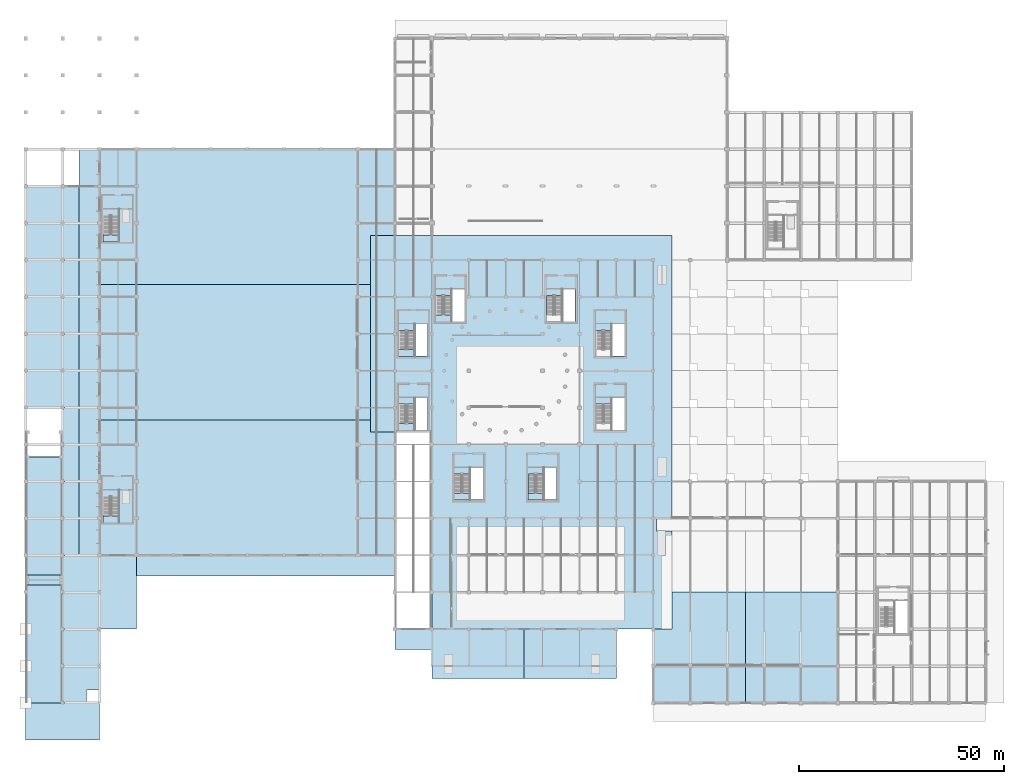
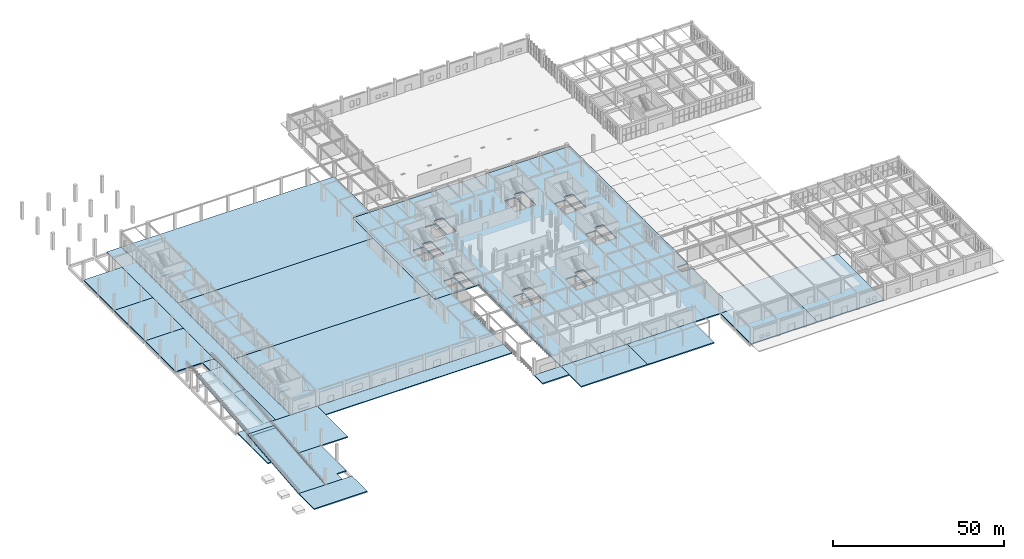
# One storey, part 53 of 91: 29 slabs, 7 elements without a shape of their own.
"""IFC4 building model written with IfcOpenShell, lengths in metres."""

import ifcopenshell
import ifcopenshell.guid

model = None  # the IFC model being written
_history = None  # IfcOwnerHistory: only IFC2X3 demands one
_inside = {}  # id of a spatial element -> (the spatial element, [elements in it])
_under = {}  # id of a project, library or spatial element -> (it, [spatial elements below it])
_declared = {}  # id of a project -> (the project, [libraries it declares])
_typed = {}  # id of a type object -> (the type object, [elements of that type])
_made_of = {}  # id of a material, layer set ... -> (it, [elements and type objects made of it])


def new_model(schema):
    """Start an empty IFC model of exactly this schema.

    Asked for "IFC4X3", IfcOpenShell would pick the latest addendum, in which some entities
    have other attributes; the version numbers below select the first issue.
    IFC2X3 requires an IfcOwnerHistory on every rooted entity: one is made here for all.
    """
    global model, _history
    if schema == "IFC4X3":
        model = ifcopenshell.file(schema_version=(4, 3, 0, 0))
    else:
        model = ifcopenshell.file(schema=schema)
    _inside.clear()
    _under.clear()
    _declared.clear()
    _typed.clear()
    _made_of.clear()
    _history = None
    if model.schema == "IFC2X3":
        org = make("IfcOrganization", Name="unknown")
        user = make(
            "IfcPersonAndOrganization",
            ThePerson=make("IfcPerson", FamilyName="unknown"),
            TheOrganization=org,
        )
        app = make(
            "IfcApplication",
            ApplicationDeveloper=org,
            Version="unknown",
            ApplicationFullName="unknown",
            ApplicationIdentifier="unknown",
        )
        _history = make(
            "IfcOwnerHistory",
            OwningUser=user,
            OwningApplication=app,
            ChangeAction="ADDED",
            CreationDate=0,
        )
    return model


def make(cls, **values):
    """One entity of the class cls with the attributes given. An attribute that is None is left unset."""
    return model.create_entity(
        cls, **{name: value for name, value in values.items() if value is not None}
    )


def rooted(cls, **values):
    """An entity with a GlobalId (a new one), such as an element, a storey or a relation."""
    return make(cls, GlobalId=ifcopenshell.guid.new(), OwnerHistory=_history, **values)


def si_unit(unit_type, name, prefix=None):
    """IfcSIUnit, for example si_unit("LENGTHUNIT", "METRE", prefix="MILLI")."""
    return make("IfcSIUnit", UnitType=unit_type, Prefix=prefix, Name=name)


def assignment(units):
    """IfcUnitAssignment: the units of a project."""
    return None if units is None else make("IfcUnitAssignment", Units=units)


def point(xyz):
    """IfcCartesianPoint."""
    return None if xyz is None else make("IfcCartesianPoint", Coordinates=xyz)


def direction(xyz):
    """IfcDirection."""
    return None if xyz is None else make("IfcDirection", DirectionRatios=xyz)


def frame(location, z_axis=None, x_axis=None):
    """IfcAxis2Placement3D, a coordinate frame: its origin and axes. An axis left out is left unset."""
    return make(
        "IfcAxis2Placement3D",
        Location=point(location),
        Axis=direction(z_axis),
        RefDirection=direction(x_axis),
    )


def origin():
    """The frame at (0, 0, 0) with its axes left unset."""
    return frame((0.0, 0.0, 0.0))


def place(relative_to, where):
    """IfcLocalPlacement: puts the frame where relative to a parent placement (None: the world)."""
    return make(
        "IfcLocalPlacement", PlacementRelTo=relative_to, RelativePlacement=where
    )


def context(
    kind, dimensions, precision=None, world=None, true_north=None, identifier=None
):
    """IfcGeometricRepresentationContext, for example the 3D "Model" context."""
    return make(
        "IfcGeometricRepresentationContext",
        ContextIdentifier=identifier,
        ContextType=kind,
        CoordinateSpaceDimension=dimensions,
        Precision=precision,
        WorldCoordinateSystem=world,
        TrueNorth=true_north,
    )


def subcontext(parent, identifier, kind, view, scale=None):
    """IfcGeometricRepresentationSubContext, for example "Body" below "Model"."""
    return make(
        "IfcGeometricRepresentationSubContext",
        ContextIdentifier=identifier,
        ContextType=kind,
        ParentContext=parent,
        TargetScale=scale,
        TargetView=view,
    )


def project(units=None, contexts=None):
    """IfcProject with its units and contexts."""
    return rooted(
        "IfcProject",
        Name="project",
        RepresentationContexts=contexts,
        UnitsInContext=assignment(units),
    )


def spatial(cls, under=None, at=None, **own):
    """A site, building, storey or space (cls), placed at a placement, below another one or the project."""
    s = rooted(cls, ObjectPlacement=at, **own)
    if under is not None:
        _under.setdefault(under.id(), (under, []))[1].append(s)
    return s


def polyline(points):
    """IfcPolyline through the points."""
    return make("IfcPolyline", Points=[point(p) for p in points])


def outline(outer, holes=None, kind="AREA"):
    """IfcArbitraryClosedProfileDef: a profile drawn as a closed curve; with holes, ...WithVoids."""
    if holes is None:
        return make("IfcArbitraryClosedProfileDef", ProfileType=kind, OuterCurve=outer)
    return make(
        "IfcArbitraryProfileDefWithVoids",
        ProfileType=kind,
        OuterCurve=outer,
        InnerCurves=holes,
    )


def extrude(swept, where, along, depth):
    """IfcExtrudedAreaSolid: the profile swept, set in the frame where, extruded along a direction by depth."""
    return make(
        "IfcExtrudedAreaSolid",
        SweptArea=swept,
        Position=where,
        ExtrudedDirection=direction(along),
        Depth=depth,
    )


def shape(context_of_items, identifier, shape_type, items):
    """IfcShapeRepresentation: the items that make up one representation, for example the "Body"."""
    return make(
        "IfcShapeRepresentation",
        ContextOfItems=context_of_items,
        RepresentationIdentifier=identifier,
        RepresentationType=shape_type,
        Items=items,
    )


def material(Name=None, Category=None):
    """IfcMaterial."""
    return make("IfcMaterial", Name=Name, Category=Category)


def layer(
    of_material, thickness, ventilated=None, Name=None, Category=None, Priority=None
):
    """IfcMaterialLayer: one layer of a wall or slab, of a material (None: an air gap)."""
    return make(
        "IfcMaterialLayer",
        Material=of_material,
        LayerThickness=thickness,
        IsVentilated=ventilated,
        Name=Name,
        Category=Category,
        Priority=Priority,
    )


def layer_set(layers, Name=None):
    """IfcMaterialLayerSet."""
    return make("IfcMaterialLayerSet", MaterialLayers=layers, LayerSetName=Name)


def made_of(thing, what):
    """Note that an element or type object is made of a material, layer set ...; save() writes the relation."""
    if what is not None:
        _made_of.setdefault(what.id(), (what, []))[1].append(thing)
    return thing


def type_object(cls, material=None, **own):
    """A type object (cls), such as IfcWallType, which elements share."""
    return made_of(rooted(cls, **own), material)


def element(
    cls,
    number,
    at=None,
    inside=None,
    cuts=None,
    type_object=None,
    material=None,
    context=None,
    identifier="Body",
    shape_type=None,
    held_by="IfcProductDefinitionShape",
    body=None,
    shapes=None,
    **own,
):
    """One element of the class cls, such as IfcWall. Its Tag is "e" and its number.

    at: its placement. inside: the storey or other place that contains it. cuts: it is an
    opening in that element (IfcRelVoidsElement). A single representation is given by context,
    identifier, shape_type and body (its items); several are given by shapes. held_by: the class
    of the entity that holds the representations. save() writes the other relations.
    """
    e = rooted(cls, Tag="e%d" % number, ObjectPlacement=at, **own)
    if body is not None:
        shapes = [shape(context, identifier, shape_type, body)]
    if shapes is not None:
        e.Representation = make(held_by, Representations=shapes)
    if inside is not None:
        _inside.setdefault(inside.id(), (inside, []))[1].append(e)
    if cuts is not None:
        rooted(
            "IfcRelVoidsElement", RelatingBuildingElement=cuts, RelatedOpeningElement=e
        )
    if type_object is not None:
        _typed.setdefault(type_object.id(), (type_object, []))[1].append(e)
    return made_of(e, material)


def aggregate(whole, parts):
    """IfcRelAggregates: a whole, such as a stair, and the parts it consists of."""
    return rooted("IfcRelAggregates", RelatingObject=whole, RelatedObjects=parts)


def save(model, path):
    """Write the relations noted so far, then the file.

    IfcRelAggregates (storeys below a building ...), IfcRelContainedInSpatialStructure (elements
    in a storey), IfcRelDefinesByType, IfcRelAssociatesMaterial and IfcRelDeclares: one each for
    every whole, place, type object, material and project.
    """
    for whole, parts in _under.values():
        aggregate(whole, parts)
    for where, things in _inside.values():
        rooted(
            "IfcRelContainedInSpatialStructure",
            RelatedElements=things,
            RelatingStructure=where,
        )
    for kind, things in _typed.values():
        rooted("IfcRelDefinesByType", RelatedObjects=things, RelatingType=kind)
    for what, things in _made_of.values():
        rooted("IfcRelAssociatesMaterial", RelatedObjects=things, RelatingMaterial=what)
    for by, libraries in _declared.values():
        rooted("IfcRelDeclares", RelatingContext=by, RelatedDefinitions=libraries)
    model.write(path)


model = new_model("IFC4")

# Units and contexts
model_context = context("Model", 3, precision=1e-05, world=origin(), true_north=direction((0.0, 1.0)))
body_context = subcontext(model_context, "Body", "Model", "MODEL_VIEW")
ifc_project = project(units=[si_unit("LENGTHUNIT", "METRE"), si_unit("AREAUNIT", "SQUARE_METRE"), si_unit("VOLUMEUNIT", "CUBIC_METRE"), si_unit("PLANEANGLEUNIT", "RADIAN"), si_unit("MASSUNIT", "GRAM", prefix="KILO")], contexts=[model_context])

# Site, building, storey
site_placement = place(None, origin())
site = spatial("IfcSite", under=ifc_project, at=site_placement, CompositionType="ELEMENT")
building_placement = place(site_placement, origin())
building = spatial("IfcBuilding", under=site, at=building_placement, Name="Dornveld Trade and Exhibition Forum", CompositionType="ELEMENT")
storey_placement = place(building_placement, origin())
storey = spatial("IfcBuildingStorey", under=building, at=storey_placement, Name="L00", CompositionType="ELEMENT", Elevation=0.0)

# Slabs
ifc_material_1 = material(Name="Concrete C40/50", Category="concrete")
ifc_layer_1 = layer(ifc_material_1, 0.39990234375)
ifc_layer_set_1 = layer_set([ifc_layer_1], Name="Concrete C40/50")
slab_type_1 = type_object("IfcSlabType", Name="SL-BASE-400", PredefinedType="BASESLAB", material=ifc_layer_set_1)
slab_1_placement = place(storey_placement, frame((0.0, 0.0, -0.39990234375)))
element("IfcSlab", 1, at=slab_1_placement, inside=storey, type_object=slab_type_1, Name="L00 structural slab panel 30", PredefinedType="BASESLAB", context=body_context, shape_type="SweptSolid", body=[
    extrude(outline(polyline([(99.0, 6.0), (121.5, 6.0), (121.5, 18.0), (99.0, 18.0), (99.0, 6.0)])), origin(), (0.0, 0.0, 1.0), 0.39990234375),
])
slab_2_placement = place(storey_placement, frame((0.0, 0.0, -0.39990234375)))
element("IfcSlab", 2, at=slab_2_placement, inside=storey, type_object=slab_type_1, Name="L00 structural slab panel 31", PredefinedType="BASESLAB", context=body_context, shape_type="SweptSolid", body=[
    extrude(outline(polyline([(121.5, 6.0), (144.0, 6.0), (144.0, 18.0), (121.5, 18.0), (121.5, 6.0)])), origin(), (0.0, 0.0, 1.0), 0.39990234375),
])
slab_3_placement = place(storey_placement, frame((0.0, 0.0, -0.39990234375)))
element("IfcSlab", 3, at=slab_3_placement, inside=storey, type_object=slab_type_1, Name="L00 structural slab panel 32", PredefinedType="BASESLAB", context=body_context, shape_type="SweptSolid", body=[
    extrude(outline(polyline([(0.0, 18.0), (27.0, 18.0), (27.0, 36.0), (0.0, 36.0), (0.0, 18.0)])), origin(), (0.0, 0.0, 1.0), 0.39990234375),
])
slab_4_placement = place(storey_placement, frame((0.0, 0.0, -0.3798828125)))
element("IfcSlab", 4, at=slab_4_placement, inside=storey, type_object=slab_type_1, Name="West HGV service road slab 1", PredefinedType="BASESLAB", context=body_context, shape_type="SweptSolid", body=[
    extrude(outline(polyline([(9.050048828125, 0.0), (14.800048828125, 0.0), (14.800048828125, 3.199951171875), (18.0, 3.199951171875), (18.0, 18.0), (9.050048828125, 18.0), (9.050048828125, 0.0)])), origin(), (0.0, 0.0, 1.0), 0.3798828125),
])
slab_5_placement = place(storey_placement, frame((0.0, 0.0, -0.3798828125)))
element("IfcSlab", 5, at=slab_5_placement, inside=storey, type_object=slab_type_1, Name="West HGV service road slab 3", PredefinedType="BASESLAB", context=body_context, shape_type="SweptSolid", body=[
    extrude(outline(polyline([(9.050048828125, 36.0), (9.050048828125, 54.0), (12.998046875, 54.0), (12.998046875, 36.0), (9.050048828125, 36.0)])), origin(), (0.0, 0.0, 1.0), 0.3798828125),
])
slab_6_placement = place(storey_placement, frame((0.0, 0.0, -0.3798828125)))
element("IfcSlab", 6, at=slab_6_placement, inside=storey, type_object=slab_type_1, Name="West HGV service road slab 4", PredefinedType="BASESLAB", context=body_context, shape_type="SweptSolid", body=[
    extrude(outline(polyline([(9.050048828125, 54.0), (9.050048828125, 72.0), (12.998046875, 72.0), (12.998046875, 54.0), (9.050048828125, 54.0)])), origin(), (0.0, 0.0, 1.0), 0.3798828125),
])
slab_7_placement = place(storey_placement, frame((0.0, 0.0, -0.3798828125)))
element("IfcSlab", 7, at=slab_7_placement, inside=storey, type_object=slab_type_1, Name="West HGV service road slab 5", PredefinedType="BASESLAB", context=body_context, shape_type="SweptSolid", body=[
    extrude(outline(polyline([(0.0, 72.0), (0.0, 90.0), (12.998046875, 90.0), (12.998046875, 72.0), (0.0, 72.0)])), origin(), (0.0, 0.0, 1.0), 0.3798828125),
])
slab_8_placement = place(storey_placement, frame((0.0, 0.0, -0.3798828125)))
element("IfcSlab", 8, at=slab_8_placement, inside=storey, type_object=slab_type_1, Name="West HGV service road slab 6", PredefinedType="BASESLAB", context=body_context, shape_type="SweptSolid", body=[
    extrude(outline(polyline([(0.0, 90.0), (0.0, 108.0), (12.998046875, 108.0), (12.998046875, 90.0), (0.0, 90.0)])), origin(), (0.0, 0.0, 1.0), 0.3798828125),
])
slab_9_placement = place(storey_placement, frame((0.0, 0.0, -0.3798828125)))
element("IfcSlab", 9, at=slab_9_placement, inside=storey, type_object=slab_type_1, Name="West HGV service road slab 7", PredefinedType="BASESLAB", context=body_context, shape_type="SweptSolid", body=[
    extrude(outline(polyline([(0.0, 108.0), (0.0, 126.0), (12.998046875, 126.0), (12.998046875, 108.0), (0.0, 108.0)])), origin(), (0.0, 0.0, 1.0), 0.3798828125),
])
slab_10_placement = place(storey_placement, frame((0.0, 0.0, -0.39990234375)))
element("IfcSlab", 10, at=slab_10_placement, inside=storey, type_object=slab_type_1, Name="HGV viaduct street entry apron slab", PredefinedType="BASESLAB", context=body_context, shape_type="SweptSolid", body=[
    extrude(outline(polyline([(0.0, -9.0), (18.0, -9.0), (18.0, 0.0), (0.0, 0.0), (0.0, -9.0)])), origin(), (0.0, 0.0, 1.0), 0.39990234375),
])
ifc_material_2 = material(Name="Precast concrete C50/60", Category="concrete")
ifc_layer_2 = layer(ifc_material_2, 0.300048828125)
ifc_layer_set_2 = layer_set([ifc_layer_2], Name="Precast concrete C50/60")
slab_type_2 = type_object("IfcSlabType", Name="SL-CONC-300", PredefinedType="FLOOR", material=ifc_layer_set_2)
slab_11_placement = place(storey_placement, frame((0.0, 0.0, -0.3798828125)))
element("IfcSlab", 11, at=slab_11_placement, inside=storey, type_object=slab_type_2, Name="L00 Central Concourse structural slab", PredefinedType="FLOOR", context=body_context, shape_type="SweptSolid", body=[
    extrude(outline(polyline([(157.5, 18.0), (99.0, 18.0), (99.0, 66.0), (84.0, 66.0), (84.0, 114.0), (157.5, 114.0), (157.5, 44.802001953125), (153.798095703125, 44.802001953125), (153.798095703125, 41.91796875), (157.5, 41.91796875), (157.5, 18.0)]), holes=[polyline([(142.64990234375, 84.550048828125), (142.64990234375, 90.830078125), (139.050048828125, 90.830078125), (139.050048828125, 84.550048828125), (142.64990234375, 84.550048828125)]), polyline([(145.949951171875, 84.550048828125), (145.949951171875, 92.39990234375), (143.0, 92.39990234375), (143.0, 84.550048828125), (145.949951171875, 84.550048828125)]), polyline([(130.64990234375, 93.050048828125), (130.64990234375, 99.330078125), (127.050048828125, 99.330078125), (127.050048828125, 93.050048828125), (130.64990234375, 93.050048828125)]), polyline([(133.949951171875, 93.050048828125), (133.949951171875, 100.89990234375), (131.0, 100.89990234375), (131.0, 93.050048828125), (133.949951171875, 93.050048828125)]), polyline([(103.64990234375, 93.050048828125), (103.64990234375, 99.330078125), (100.050048828125, 99.330078125), (100.050048828125, 93.050048828125), (103.64990234375, 93.050048828125)]), polyline([(106.949951171875, 93.050048828125), (106.949951171875, 100.89990234375), (104.0, 100.89990234375), (104.0, 93.050048828125), (106.949951171875, 93.050048828125)]), polyline([(94.64990234375, 84.550048828125), (94.64990234375, 90.830078125), (91.050048828125, 90.830078125), (91.050048828125, 84.550048828125), (94.64990234375, 84.550048828125)]), polyline([(97.949951171875, 84.550048828125), (97.949951171875, 92.39990234375), (95.0, 92.39990234375), (95.0, 84.550048828125), (97.949951171875, 84.550048828125)]), polyline([(94.64990234375, 66.550048828125), (94.64990234375, 72.830078125), (91.050048828125, 72.830078125), (91.050048828125, 66.550048828125), (94.64990234375, 66.550048828125)]), polyline([(97.949951171875, 66.550048828125), (97.949951171875, 74.39990234375), (95.0, 74.39990234375), (95.0, 66.550048828125), (97.949951171875, 66.550048828125)]), polyline([(142.64990234375, 66.550048828125), (142.64990234375, 72.830078125), (139.050048828125, 72.830078125), (139.050048828125, 66.550048828125), (142.64990234375, 66.550048828125)]), polyline([(145.949951171875, 66.550048828125), (145.949951171875, 74.39990234375), (143.0, 74.39990234375), (143.0, 66.550048828125), (145.949951171875, 66.550048828125)]), polyline([(108.14990234375, 49.550048828125), (108.14990234375, 55.830078125), (104.550048828125, 55.830078125), (104.550048828125, 49.550048828125), (108.14990234375, 49.550048828125)]), polyline([(111.449951171875, 49.550048828125), (111.449951171875, 57.39990234375), (108.5, 57.39990234375), (108.5, 49.550048828125), (111.449951171875, 49.550048828125)]), polyline([(126.14990234375, 49.550048828125), (126.14990234375, 55.830078125), (122.550048828125, 55.830078125), (122.550048828125, 49.550048828125), (126.14990234375, 49.550048828125)]), polyline([(129.449951171875, 49.550048828125), (129.449951171875, 57.39990234375), (126.5, 57.39990234375), (126.5, 49.550048828125), (129.449951171875, 49.550048828125)])]), origin(), (0.0, 0.0, 1.0), 0.3798828125),
])
ifc_material_3 = material(Name="Precast concrete C50/60", Category="concrete")
ifc_layer_3 = layer(ifc_material_3, 0.22998046875)
ifc_layer_set_3 = layer_set([ifc_layer_3], Name="Precast concrete C50/60")
slab_type_3 = type_object("IfcSlabType", Name="SL-EXT-02", PredefinedType="BASESLAB", material=ifc_layer_set_3)
slab_12_placement = place(storey_placement, frame((0.0, 0.0, -0.22998046875)))
element("IfcSlab", 12, at=slab_12_placement, inside=storey, type_object=slab_type_3, Name="L00 perimeter court paving PAV-W", PredefinedType="BASESLAB", context=body_context, shape_type="SweptSolid", body=[
    extrude(outline(polyline([(17.998046875, 135.0), (17.998046875, 36.0), (13.0, 36.0), (13.0, 135.0), (17.998046875, 135.0)])), origin(), (0.0, 0.0, 1.0), 0.22998046875),
])
ifc_material_4 = material(Name="Precast concrete C50/60", Category="concrete")
ifc_layer_4 = layer(ifc_material_4, 0.27001953125)
ifc_layer_set_4 = layer_set([ifc_layer_4], Name="Precast concrete C50/60")
slab_type_4 = type_object("IfcSlabType", Name="SL-EXT-03", PredefinedType="BASESLAB", material=ifc_layer_set_4)
slab_13_placement = place(storey_placement, frame((0.0, 0.0, -0.27001953125)))
element("IfcSlab", 13, at=slab_13_placement, inside=storey, type_object=slab_type_4, Name="L00 perimeter court paving PAV-SW", PredefinedType="BASESLAB", context=body_context, shape_type="SweptSolid", body=[
    extrude(outline(polyline([(27.001953125, 31.0), (27.001953125, 35.998046875), (90.0, 35.998046875), (90.0, 31.0), (27.001953125, 31.0)])), origin(), (0.0, 0.0, 1.0), 0.27001953125),
])
ifc_material_5 = material(Name="Precast concrete C50/60", Category="concrete")
ifc_layer_5 = layer(ifc_material_5, 0.419921875)
ifc_layer_set_5 = layer_set([ifc_layer_5], Name="Precast concrete C50/60")
slab_type_5 = type_object("IfcSlabType", Name="SL-EXT-08", PredefinedType="BASESLAB", material=ifc_layer_set_5)
slab_14_placement = place(storey_placement, frame((0.0, 0.0, -0.419921875)))
element("IfcSlab", 14, at=slab_14_placement, inside=storey, type_object=slab_type_5, Name="L00 perimeter court paving PAV-SFC", PredefinedType="BASESLAB", context=body_context, shape_type="SweptSolid", body=[
    extrude(outline(polyline([(90.0, 13.0), (90.0, 17.949951171875), (98.998046875, 17.949951171875), (98.998046875, 13.0), (90.0, 13.0)])), origin(), (0.0, 0.0, 1.0), 0.419921875),
])
ifc_material_6 = material(Name="Concrete C40/50", Category="concrete")
ifc_layer_6 = layer(ifc_material_6, 0.3798828125)
ifc_layer_set_6 = layer_set([ifc_layer_6], Name="Concrete C40/50")
slab_type_6 = type_object("IfcSlabType", Name="SL-HALL-380", PredefinedType="BASESLAB", material=ifc_layer_set_6)
slab_15_placement = place(storey_placement, frame((0.0, 0.0, -0.3798828125)))
element("IfcSlab", 15, at=slab_15_placement, inside=storey, type_object=slab_type_6, Name="L00 structural slab panel 15", PredefinedType="BASESLAB", context=body_context, shape_type="SweptSolid", body=[
    extrude(outline(polyline([(90.0, 36.0), (18.0, 36.0), (18.0, 69.0), (83.998046875, 69.0), (83.998046875, 65.998046875), (90.0, 65.998046875), (90.0, 36.0)])), origin(), (0.0, 0.0, 1.0), 0.3798828125),
])
slab_16_placement = place(storey_placement, frame((0.0, 0.0, -0.3798828125)))
element("IfcSlab", 16, at=slab_16_placement, inside=storey, type_object=slab_type_6, Name="L00 structural slab panel 16", PredefinedType="BASESLAB", context=body_context, shape_type="SweptSolid", body=[
    extrude(outline(polyline([(18.0, 69.0), (18.0, 102.0), (83.998046875, 102.0), (83.998046875, 69.0), (18.0, 69.0)])), origin(), (0.0, 0.0, 1.0), 0.3798828125),
])
slab_17_placement = place(storey_placement, frame((0.0, 0.0, -0.3798828125)))
element("IfcSlab", 17, at=slab_17_placement, inside=storey, type_object=slab_type_6, Name="L00 structural slab panel 17", PredefinedType="BASESLAB", context=body_context, shape_type="SweptSolid", body=[
    extrude(outline(polyline([(18.0, 102.0), (18.0, 135.0), (90.0, 135.0), (90.0, 114.001953125), (83.998046875, 114.001953125), (83.998046875, 102.0), (18.0, 102.0)])), origin(), (0.0, 0.0, 1.0), 0.3798828125),
])
slab_18_placement = place(storey_placement, frame((0.0, 0.0, -0.3798828125)))
element("IfcSlab", 18, at=slab_18_placement, inside=storey, type_object=slab_type_6, Name="L00 structural slab panel 18", PredefinedType="BASESLAB", context=body_context, shape_type="SweptSolid", body=[
    extrude(outline(polyline([(175.5, 27.0), (175.5, 0.0), (153.0, 0.0), (153.0, 17.998046875), (157.501953125, 17.998046875), (157.501953125, 27.0), (175.5, 27.0)])), origin(), (0.0, 0.0, 1.0), 0.3798828125),
])
slab_19_placement = place(storey_placement, frame((0.0, 0.0, -0.3798828125)))
element("IfcSlab", 19, at=slab_19_placement, inside=storey, type_object=slab_type_6, Name="L00 structural slab panel 20", PredefinedType="BASESLAB", context=body_context, shape_type="SweptSolid", body=[
    extrude(outline(polyline([(175.5, 0.0), (198.0, 0.0), (198.0, 27.0), (175.5, 27.0), (175.5, 0.0)])), origin(), (0.0, 0.0, 1.0), 0.3798828125),
])

# Stair, slab
ifc_material_7 = material(Name="Concrete C40/50", Category="concrete")
stair_type_1 = type_object("IfcStairType", Name="ST-2RET-600A", PredefinedType="HALF_TURN_STAIR", material=ifc_material_7)
stair_1_placement = place(storey_placement, origin())
stair_1 = element("IfcStair", 20, at=stair_1_placement, inside=storey, type_object=stair_type_1, Name="CORE-03 escape stair L00 to L01", PredefinedType="HALF_TURN_STAIR")
ifc_material_8 = material(Name="Concrete C40/50", Category="concrete")
ifc_layer_7 = layer(ifc_material_8, 0.199951171875)
ifc_layer_set_7 = layer_set([ifc_layer_7], Name="Concrete C40/50")
slab_type_7 = type_object("IfcSlabType", Name="SL-LAND-200", PredefinedType="LANDING", material=ifc_layer_set_7)
slab_20_placement = place(storey_placement, frame((0.0, 0.0, 2.800048828125)))
slab_20 = element("IfcSlab", 21, at=slab_20_placement, type_object=slab_type_7, Name="ST-03-L00 landing 1", PredefinedType="LANDING", context=body_context, shape_type="SweptSolid", body=[
    extrude(outline(polyline([(99.925048828125, 92.925048828125), (103.719970703125, 92.925048828125), (103.719970703125, 94.614990234375), (99.925048828125, 94.614990234375), (99.925048828125, 92.925048828125)])), origin(), (0.0, 0.0, 1.0), 0.199951171875),
])
aggregate(stair_1, [slab_20])

stair_2_placement = place(storey_placement, origin())
stair_2 = element("IfcStair", 22, at=stair_2_placement, inside=storey, type_object=stair_type_1, Name="CORE-05 escape stair L00 to L01", PredefinedType="HALF_TURN_STAIR")
slab_21_placement = place(storey_placement, frame((0.0, 0.0, 2.800048828125)))
slab_21 = element("IfcSlab", 23, at=slab_21_placement, type_object=slab_type_7, Name="ST-05-L00 landing 1", PredefinedType="LANDING", context=body_context, shape_type="SweptSolid", body=[
    extrude(outline(polyline([(90.925048828125, 66.425048828125), (94.719970703125, 66.425048828125), (94.719970703125, 68.114990234375), (90.925048828125, 68.114990234375), (90.925048828125, 66.425048828125)])), origin(), (0.0, 0.0, 1.0), 0.199951171875),
])
aggregate(stair_2, [slab_21])

stair_3_placement = place(storey_placement, origin())
stair_3 = element("IfcStair", 24, at=stair_3_placement, inside=storey, type_object=stair_type_1, Name="CORE-07 escape stair L00 to L01", PredefinedType="HALF_TURN_STAIR")
slab_22_placement = place(storey_placement, frame((0.0, 0.0, 2.800048828125)))
slab_22 = element("IfcSlab", 25, at=slab_22_placement, type_object=slab_type_7, Name="ST-07-L00 landing 1", PredefinedType="LANDING", context=body_context, shape_type="SweptSolid", body=[
    extrude(outline(polyline([(122.425048828125, 49.425048828125), (126.219970703125, 49.425048828125), (126.219970703125, 51.114990234375), (122.425048828125, 51.114990234375), (122.425048828125, 49.425048828125)])), origin(), (0.0, 0.0, 1.0), 0.199951171875),
])
aggregate(stair_3, [slab_22])

stair_4_placement = place(storey_placement, origin())
stair_4 = element("IfcStair", 26, at=stair_4_placement, inside=storey, type_object=stair_type_1, Name="CORE-09 escape stair L00 to L01", PredefinedType="HALF_TURN_STAIR")
slab_23_placement = place(storey_placement, frame((0.0, 0.0, 2.800048828125)))
slab_23 = element("IfcSlab", 27, at=slab_23_placement, type_object=slab_type_7, Name="ST-09-L00 landing 1", PredefinedType="LANDING", context=body_context, shape_type="SweptSolid", body=[
    extrude(outline(polyline([(18.77490234375, 43.875), (22.6201171875, 43.875), (22.6201171875, 45.614990234375), (18.77490234375, 45.614990234375), (18.77490234375, 43.875)])), origin(), (0.0, 0.0, 1.0), 0.199951171875),
])
aggregate(stair_4, [slab_23])

ifc_material_9 = material(Name="Concrete C40/50", Category="concrete")
stair_type_2 = type_object("IfcStairType", Name="ST-2RET-600B", PredefinedType="HALF_TURN_STAIR", material=ifc_material_9)
stair_5_placement = place(storey_placement, origin())
stair_5 = element("IfcStair", 28, at=stair_5_placement, inside=storey, type_object=stair_type_2, Name="CORE-04 escape stair L00 to L01", PredefinedType="HALF_TURN_STAIR")
ifc_material_10 = material(Name="Concrete C40/50", Category="concrete")
ifc_layer_8 = layer(ifc_material_10, 0.219970703125)
ifc_layer_set_8 = layer_set([ifc_layer_8], Name="Concrete C40/50")
slab_type_8 = type_object("IfcSlabType", Name="SL-LAND-220", PredefinedType="LANDING", material=ifc_layer_set_8)
slab_24_placement = place(storey_placement, frame((0.0, 0.0, 2.780029296875)))
slab_24 = element("IfcSlab", 29, at=slab_24_placement, type_object=slab_type_8, Name="ST-04-L00 landing 1", PredefinedType="LANDING", context=body_context, shape_type="SweptSolid", body=[
    extrude(outline(polyline([(90.925048828125, 84.425048828125), (94.719970703125, 84.425048828125), (94.719970703125, 86.114990234375), (90.925048828125, 86.114990234375), (90.925048828125, 84.425048828125)])), origin(), (0.0, 0.0, 1.0), 0.219970703125),
])
aggregate(stair_5, [slab_24])

stair_6_placement = place(storey_placement, origin())
stair_6 = element("IfcStair", 30, at=stair_6_placement, inside=storey, type_object=stair_type_2, Name="CORE-06 escape stair L00 to L01", PredefinedType="HALF_TURN_STAIR")
slab_25_placement = place(storey_placement, frame((0.0, 0.0, 2.780029296875)))
slab_25 = element("IfcSlab", 31, at=slab_25_placement, type_object=slab_type_8, Name="ST-06-L00 landing 1", PredefinedType="LANDING", context=body_context, shape_type="SweptSolid", body=[
    extrude(outline(polyline([(104.425048828125, 49.425048828125), (108.219970703125, 49.425048828125), (108.219970703125, 51.114990234375), (104.425048828125, 51.114990234375), (104.425048828125, 49.425048828125)])), origin(), (0.0, 0.0, 1.0), 0.219970703125),
])
aggregate(stair_6, [slab_25])

stair_7_placement = place(storey_placement, origin())
stair_7 = element("IfcStair", 32, at=stair_7_placement, inside=storey, type_object=stair_type_2, Name="CORE-10 escape stair L00 to L01", PredefinedType="HALF_TURN_STAIR")
slab_26_placement = place(storey_placement, frame((0.0, 0.0, 2.780029296875)))
slab_26 = element("IfcSlab", 33, at=slab_26_placement, type_object=slab_type_8, Name="ST-10-L00 landing 1", PredefinedType="LANDING", context=body_context, shape_type="SweptSolid", body=[
    extrude(outline(polyline([(18.77490234375, 112.375), (22.6201171875, 112.375), (22.6201171875, 114.114990234375), (18.77490234375, 114.114990234375), (18.77490234375, 112.375)])), origin(), (0.0, 0.0, 1.0), 0.219970703125),
])
aggregate(stair_7, [slab_26])

# Slabs
ifc_material_11 = material(Name="Concrete C40/50", Category="concrete")
ifc_layer_9 = layer(ifc_material_11, 0.340087890625)
ifc_layer_set_9 = layer_set([ifc_layer_9], Name="Concrete C40/50")
slab_type_9 = type_object("IfcSlabType", Name="SL-RAMP-340", PredefinedType="FLOOR", material=ifc_layer_set_9)
for number, where, z_axis, x_axis, name in (
    (34, (0.0, 0.0, 0.0), (0.0, -0.099503719021, 0.99503719021), (1.0, 0.0, 0.0), "West 1:10 HGV Truck Ramp Lower Run vehicle ramp structural concrete slab 1"),
    (35, (0.0, 30.0, 3.0), (0.0, -0.099503719021, 0.99503719021), (1.0, 0.0, 0.0), "West 1:10 HGV Truck Ramp Lower Run vehicle ramp structural concrete slab 2"),
):
    element("IfcSlab", number, at=place(storey_placement, frame(where, z_axis=z_axis, x_axis=x_axis)), inside=storey, type_object=slab_type_9, Name=name, PredefinedType="FLOOR", context=body_context, shape_type="SweptSolid", body=[
        extrude(outline(polyline([(0.0, 0.0), (9.0, 0.0), (9.0, 30.14962686336267), (0.0, 30.14962686336267), (0.0, 0.0)])), origin(), (0.0, 0.0, -1.0), 0.340087890625),
    ])
slab_27_placement = place(storey_placement, frame((0.0, 0.0, 2.6201171875)))
element("IfcSlab", 36, at=slab_27_placement, inside=storey, type_object=slab_type_9, Name="Ramp intermediate bearing cap 1", PredefinedType="FLOOR", context=body_context, shape_type="SweptSolid", body=[
    extrude(outline(polyline([(0.0, 28.800048828125), (9.0, 28.800048828125), (9.0, 31.199951171875), (0.0, 31.199951171875), (0.0, 28.800048828125)])), origin(), (0.0, 0.0, 1.0), 0.3798828125),
])

save(model, "model.ifc")
